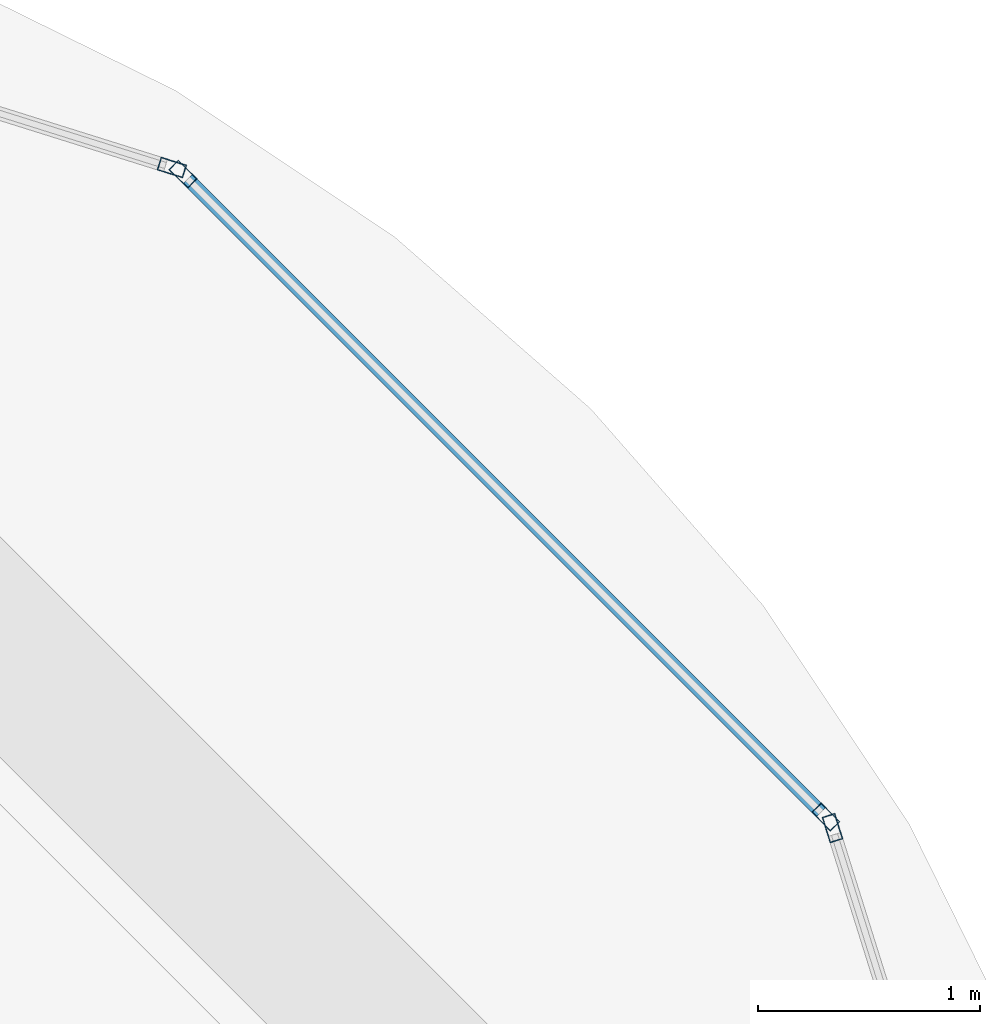
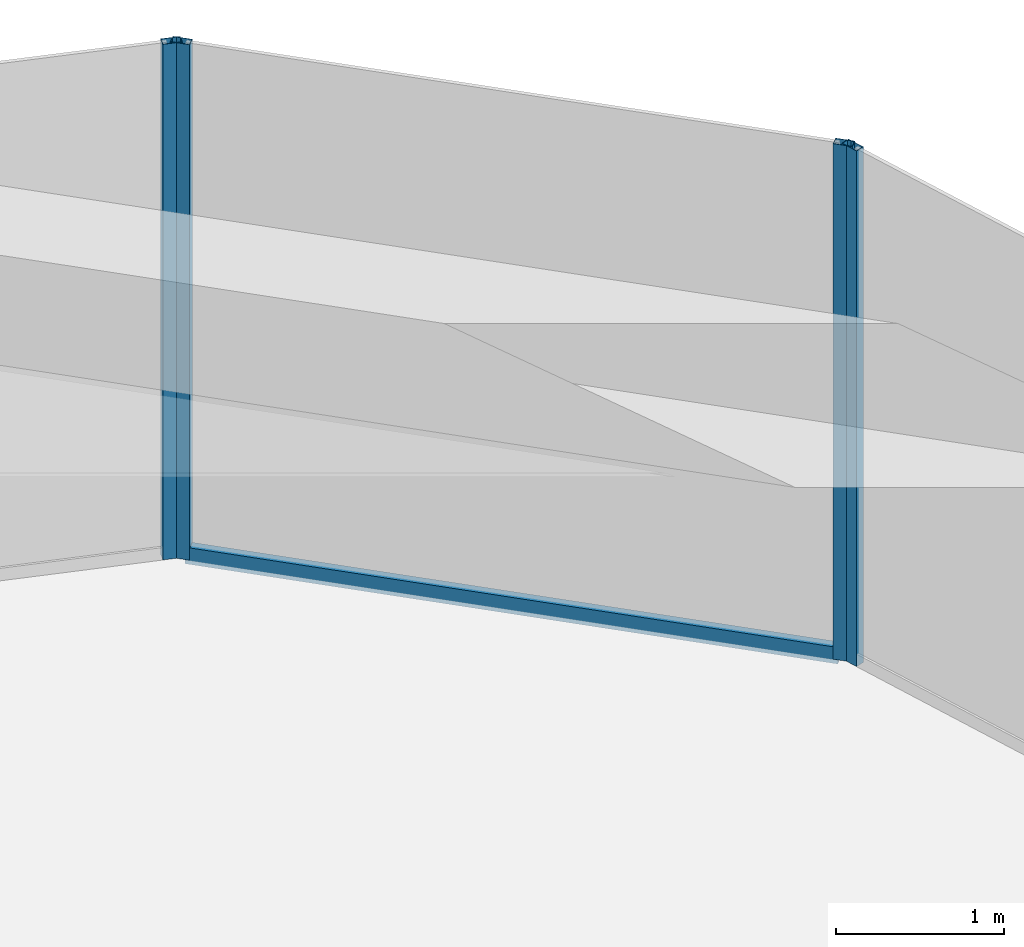
# One storey, part 39 of 45: 5 members, 3 elements without a shape of their own.
"""IFC4 building model written with IfcOpenShell, lengths in metres."""

from ifc_helpers import new_model, si_unit, direction, frame, origin, origin_2d, place, context, subcontext, project, spatial, hollow_rectangle, extrude, material, material_profile, profile_set, type_object, element, aggregate, save


model = new_model("IFC4")

# Units and contexts
model_context = context("Model", 3, precision=1e-05, world=origin(), true_north=direction((0.0, 1.0)))
body_context = subcontext(model_context, "Body", "Model", "MODEL_VIEW")
ifc_project = project(units=[si_unit("LENGTHUNIT", "METRE"), si_unit("AREAUNIT", "SQUARE_METRE"), si_unit("VOLUMEUNIT", "CUBIC_METRE"), si_unit("PLANEANGLEUNIT", "RADIAN"), si_unit("MASSUNIT", "GRAM", prefix="KILO")], contexts=[model_context])

# Site, building, storey
site_placement = place(None, origin())
site = spatial("IfcSite", under=ifc_project, at=site_placement, CompositionType="ELEMENT")
building_placement = place(site_placement, origin())
building = spatial("IfcBuilding", under=site, at=building_placement, Name="Zorevar Civic Tower", CompositionType="ELEMENT")
storey_placement = place(building_placement, frame((0.0, 0.0, 279.39990234375)))
storey = spatial("IfcBuildingStorey", under=building, at=storey_placement, Name="L68", CompositionType="ELEMENT", Elevation=279.39990234375)

# Curtain wall, member
ifc_material_1 = material(Name="Dark grey solar-control glass in black aluminium frame", Category="aluminium")
curtain_wall_type = type_object("IfcCurtainWallType", Name="Curtain wall CW5 top zone", PredefinedType="NOTDEFINED", material=ifc_material_1)
curtain_wall_1_placement = place(storey_placement, origin())
curtain_wall_1 = element("IfcCurtainWall", 1, at=curtain_wall_1_placement, inside=storey, type_object=curtain_wall_type, Name="CW5 L68", PredefinedType="NOTDEFINED")
ifc_material_2 = material(Name="Aluminium, black anodised", Category="aluminium")
ifc_material_profile_1 = material_profile(ifc_material_2, hollow_rectangle(XDim=0.06005859375, YDim=0.1201171875, WallThickness=0.0029296875, at=origin_2d()), Name="AL 120x60x3")
ifc_profile_set_1 = profile_set([ifc_material_profile_1], Name="Aluminium, black anodised")
member_type_1 = type_object("IfcMemberType", Name="CW5 mullion AL 120x60x3", PredefinedType="MULLION", material=ifc_profile_set_1)
member_1_placement = place(storey_placement, frame((52.449951171875, 40.479248046875, 0.0), z_axis=(0.0, 0.0, 1.0), x_axis=(-0.954153437674, -0.299317920238, 0.0)))
member_1 = element("IfcMember", 2, at=member_1_placement, type_object=member_type_1, Name="CW5 mullion 2", PredefinedType="MULLION", context=body_context, shape_type="SweptSolid", body=[
    extrude(hollow_rectangle(XDim=0.06005859375, YDim=0.1201171875, WallThickness=0.0029296875, at=origin_2d()), origin(), (0.0, 0.0, 1.0), 3.75),
])
aggregate(curtain_wall_1, [member_1])

# Curtain wall, members
curtain_wall_2_placement = place(storey_placement, origin())
curtain_wall_2 = element("IfcCurtainWall", 3, at=curtain_wall_2_placement, inside=storey, type_object=curtain_wall_type, Name="CW5 L68", PredefinedType="NOTDEFINED")
member_2_placement = place(storey_placement, frame((52.419677734375, 40.529052734375, 0.0), z_axis=(0.0, 0.0, 1.0), x_axis=(-0.707106781187, -0.707106781187, 0.0)))
member_2 = element("IfcMember", 4, at=member_2_placement, type_object=member_type_1, Name="CW5 mullion 1", PredefinedType="MULLION", context=body_context, shape_type="SweptSolid", body=[
    extrude(hollow_rectangle(XDim=0.06005859375, YDim=0.1201171875, WallThickness=0.0029296875, at=origin_2d()), origin(), (0.0, 0.0, 1.0), 3.75),
])
member_3_placement = place(storey_placement, frame((49.529052734375, 43.419677734375, 0.0), z_axis=(0.0, 0.0, 1.0), x_axis=(-0.707106781187, -0.707106781187, 0.0)))
member_3 = element("IfcMember", 5, at=member_3_placement, type_object=member_type_1, Name="CW5 mullion 2", PredefinedType="MULLION", context=body_context, shape_type="SweptSolid", body=[
    extrude(hollow_rectangle(XDim=0.06005859375, YDim=0.1201171875, WallThickness=0.0029296875, at=origin_2d()), origin(), (0.0, 0.0, 1.0), 3.75),
])

# Curtain wall, member
curtain_wall_3_placement = place(storey_placement, origin())
curtain_wall_3 = element("IfcCurtainWall", 6, at=curtain_wall_3_placement, inside=storey, type_object=curtain_wall_type, Name="CW5 L68", PredefinedType="NOTDEFINED")
member_4_placement = place(storey_placement, frame((49.479248046875, 43.449951171875, 0.0), z_axis=(0.0, 0.0, 1.0), x_axis=(-0.299317920238, -0.954153437674, 0.0)))
member_4 = element("IfcMember", 7, at=member_4_placement, type_object=member_type_1, Name="CW5 mullion 1", PredefinedType="MULLION", context=body_context, shape_type="SweptSolid", body=[
    extrude(hollow_rectangle(XDim=0.06005859375, YDim=0.1201171875, WallThickness=0.0029296875, at=origin_2d()), origin(), (0.0, 0.0, 1.0), 3.75),
])
aggregate(curtain_wall_3, [member_4])

# Member
ifc_material_3 = material(Name="Aluminium, black anodised", Category="aluminium")
ifc_material_profile_2 = material_profile(ifc_material_3, hollow_rectangle(XDim=0.06005859375, YDim=0.1201171875, WallThickness=0.0029296875, at=origin_2d()), Name="AL 120x60x3")
ifc_profile_set_2 = profile_set([ifc_material_profile_2], Name="Aluminium, black anodised")
member_type_2 = type_object("IfcMemberType", Name="CW5 transom AL 120x60x3", PredefinedType="USERDEFINED", material=ifc_profile_set_2)
member_5_placement = place(storey_placement, frame((52.3984375, 40.55029296875, 0.030029296875), z_axis=(-0.707106781187, 0.707106781187, 0.0), x_axis=(-0.707106781187, -0.707106781187, 0.0)))
member_5 = element("IfcMember", 8, at=member_5_placement, type_object=member_type_2, Name="CW5 sill transom", ObjectType="TRANSOM", PredefinedType="USERDEFINED", context=body_context, shape_type="SweptSolid", body=[
    extrude(hollow_rectangle(XDim=0.06005859375, YDim=0.1201171875, WallThickness=0.0029296875, at=origin_2d()), origin(), (0.0, 0.0, 1.0), 4.02783203125),
])

aggregate(curtain_wall_2, [member_2, member_3, member_5])

save(model, "model.ifc")
